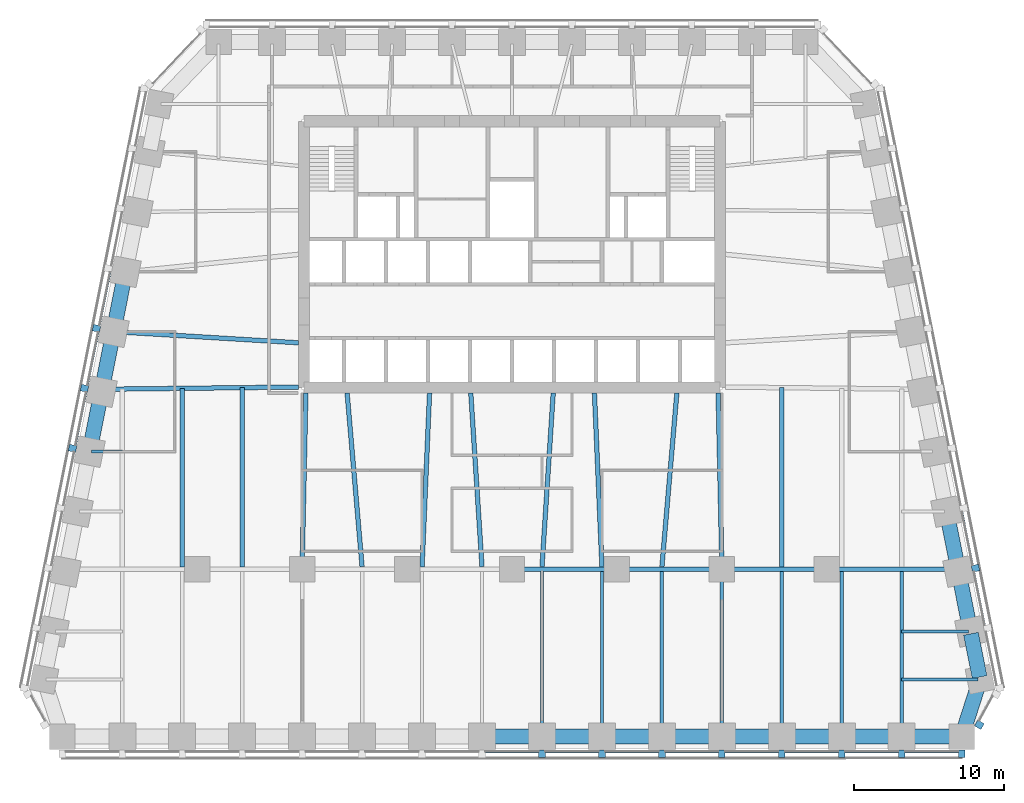
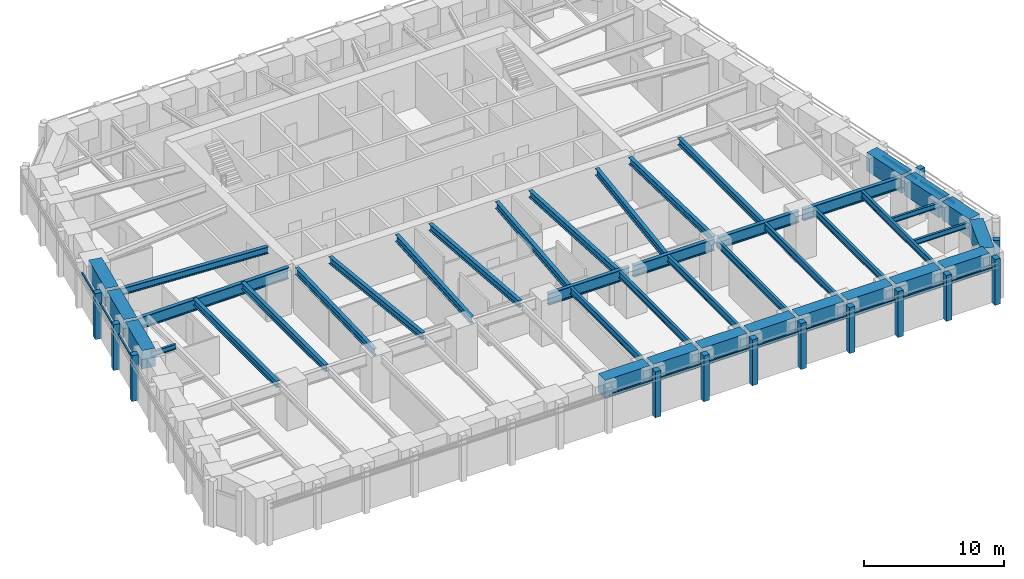
# One storey, part 2 of 10: 42 beams, 26 members, 4 elements without a shape of their own.
"""IFC4 building model written with IfcOpenShell, lengths in metres."""

import ifcopenshell
import ifcopenshell.guid

model = None  # the IFC model being written
_history = None  # IfcOwnerHistory: only IFC2X3 demands one
_inside = {}  # id of a spatial element -> (the spatial element, [elements in it])
_under = {}  # id of a project, library or spatial element -> (it, [spatial elements below it])
_declared = {}  # id of a project -> (the project, [libraries it declares])
_typed = {}  # id of a type object -> (the type object, [elements of that type])
_made_of = {}  # id of a material, layer set ... -> (it, [elements and type objects made of it])


def new_model(schema):
    """Start an empty IFC model of exactly this schema.

    Asked for "IFC4X3", IfcOpenShell would pick the latest addendum, in which some entities
    have other attributes; the version numbers below select the first issue.
    IFC2X3 requires an IfcOwnerHistory on every rooted entity: one is made here for all.
    """
    global model, _history
    if schema == "IFC4X3":
        model = ifcopenshell.file(schema_version=(4, 3, 0, 0))
    else:
        model = ifcopenshell.file(schema=schema)
    _inside.clear()
    _under.clear()
    _declared.clear()
    _typed.clear()
    _made_of.clear()
    _history = None
    if model.schema == "IFC2X3":
        org = make("IfcOrganization", Name="unknown")
        user = make(
            "IfcPersonAndOrganization",
            ThePerson=make("IfcPerson", FamilyName="unknown"),
            TheOrganization=org,
        )
        app = make(
            "IfcApplication",
            ApplicationDeveloper=org,
            Version="unknown",
            ApplicationFullName="unknown",
            ApplicationIdentifier="unknown",
        )
        _history = make(
            "IfcOwnerHistory",
            OwningUser=user,
            OwningApplication=app,
            ChangeAction="ADDED",
            CreationDate=0,
        )
    return model


def make(cls, **values):
    """One entity of the class cls with the attributes given. An attribute that is None is left unset."""
    return model.create_entity(
        cls, **{name: value for name, value in values.items() if value is not None}
    )


def rooted(cls, **values):
    """An entity with a GlobalId (a new one), such as an element, a storey or a relation."""
    return make(cls, GlobalId=ifcopenshell.guid.new(), OwnerHistory=_history, **values)


def si_unit(unit_type, name, prefix=None):
    """IfcSIUnit, for example si_unit("LENGTHUNIT", "METRE", prefix="MILLI")."""
    return make("IfcSIUnit", UnitType=unit_type, Prefix=prefix, Name=name)


def assignment(units):
    """IfcUnitAssignment: the units of a project."""
    return None if units is None else make("IfcUnitAssignment", Units=units)


def point(xyz):
    """IfcCartesianPoint."""
    return None if xyz is None else make("IfcCartesianPoint", Coordinates=xyz)


def direction(xyz):
    """IfcDirection."""
    return None if xyz is None else make("IfcDirection", DirectionRatios=xyz)


def frame(location, z_axis=None, x_axis=None):
    """IfcAxis2Placement3D, a coordinate frame: its origin and axes. An axis left out is left unset."""
    return make(
        "IfcAxis2Placement3D",
        Location=point(location),
        Axis=direction(z_axis),
        RefDirection=direction(x_axis),
    )


def frame_2d(location, x_axis=None):
    """IfcAxis2Placement2D, a coordinate frame in the plane: its origin and x axis."""
    return make(
        "IfcAxis2Placement2D", Location=point(location), RefDirection=direction(x_axis)
    )


def origin():
    """The frame at (0, 0, 0) with its axes left unset."""
    return frame((0.0, 0.0, 0.0))


def origin_2d():
    """The frame at (0, 0) in the plane with its x axis left unset."""
    return frame_2d((0.0, 0.0))


def place(relative_to, where):
    """IfcLocalPlacement: puts the frame where relative to a parent placement (None: the world)."""
    return make(
        "IfcLocalPlacement", PlacementRelTo=relative_to, RelativePlacement=where
    )


def context(
    kind, dimensions, precision=None, world=None, true_north=None, identifier=None
):
    """IfcGeometricRepresentationContext, for example the 3D "Model" context."""
    return make(
        "IfcGeometricRepresentationContext",
        ContextIdentifier=identifier,
        ContextType=kind,
        CoordinateSpaceDimension=dimensions,
        Precision=precision,
        WorldCoordinateSystem=world,
        TrueNorth=true_north,
    )


def subcontext(parent, identifier, kind, view, scale=None):
    """IfcGeometricRepresentationSubContext, for example "Body" below "Model"."""
    return make(
        "IfcGeometricRepresentationSubContext",
        ContextIdentifier=identifier,
        ContextType=kind,
        ParentContext=parent,
        TargetScale=scale,
        TargetView=view,
    )


def project(units=None, contexts=None):
    """IfcProject with its units and contexts."""
    return rooted(
        "IfcProject",
        Name="project",
        RepresentationContexts=contexts,
        UnitsInContext=assignment(units),
    )


def spatial(cls, under=None, at=None, **own):
    """A site, building, storey or space (cls), placed at a placement, below another one or the project."""
    s = rooted(cls, ObjectPlacement=at, **own)
    if under is not None:
        _under.setdefault(under.id(), (under, []))[1].append(s)
    return s


def profile(cls, at=None, kind="AREA", **sizes):
    """A parametric profile (cls). Its sizes go by their IFC names, for example OverallWidth=200.0."""
    return make(cls, ProfileType=kind, Position=at, **sizes)


def rectangle(**sizes):
    """IfcRectangleProfileDef."""
    return profile("IfcRectangleProfileDef", **sizes)


def i_section(**sizes):
    """IfcIShapeProfileDef."""
    return profile("IfcIShapeProfileDef", **sizes)


def extrude(swept, where, along, depth):
    """IfcExtrudedAreaSolid: the profile swept, set in the frame where, extruded along a direction by depth."""
    return make(
        "IfcExtrudedAreaSolid",
        SweptArea=swept,
        Position=where,
        ExtrudedDirection=direction(along),
        Depth=depth,
    )


def shape(context_of_items, identifier, shape_type, items):
    """IfcShapeRepresentation: the items that make up one representation, for example the "Body"."""
    return make(
        "IfcShapeRepresentation",
        ContextOfItems=context_of_items,
        RepresentationIdentifier=identifier,
        RepresentationType=shape_type,
        Items=items,
    )


def material(Name=None, Category=None):
    """IfcMaterial."""
    return make("IfcMaterial", Name=Name, Category=Category)


def material_profile(
    of_material, cross_section, Name=None, Category=None, Priority=None
):
    """IfcMaterialProfile: a cross section and its material."""
    return make(
        "IfcMaterialProfile",
        Name=Name,
        Material=of_material,
        Profile=cross_section,
        Priority=Priority,
        Category=Category,
    )


def profile_set(profiles, Name=None, composite=None):
    """IfcMaterialProfileSet."""
    return make(
        "IfcMaterialProfileSet",
        Name=Name,
        MaterialProfiles=profiles,
        CompositeProfile=composite,
    )


def made_of(thing, what):
    """Note that an element or type object is made of a material, layer set ...; save() writes the relation."""
    if what is not None:
        _made_of.setdefault(what.id(), (what, []))[1].append(thing)
    return thing


def type_object(cls, material=None, **own):
    """A type object (cls), such as IfcWallType, which elements share."""
    return made_of(rooted(cls, **own), material)


def element(
    cls,
    number,
    at=None,
    inside=None,
    cuts=None,
    type_object=None,
    material=None,
    context=None,
    identifier="Body",
    shape_type=None,
    held_by="IfcProductDefinitionShape",
    body=None,
    shapes=None,
    **own,
):
    """One element of the class cls, such as IfcWall. Its Tag is "e" and its number.

    at: its placement. inside: the storey or other place that contains it. cuts: it is an
    opening in that element (IfcRelVoidsElement). A single representation is given by context,
    identifier, shape_type and body (its items); several are given by shapes. held_by: the class
    of the entity that holds the representations. save() writes the other relations.
    """
    e = rooted(cls, Tag="e%d" % number, ObjectPlacement=at, **own)
    if body is not None:
        shapes = [shape(context, identifier, shape_type, body)]
    if shapes is not None:
        e.Representation = make(held_by, Representations=shapes)
    if inside is not None:
        _inside.setdefault(inside.id(), (inside, []))[1].append(e)
    if cuts is not None:
        rooted(
            "IfcRelVoidsElement", RelatingBuildingElement=cuts, RelatedOpeningElement=e
        )
    if type_object is not None:
        _typed.setdefault(type_object.id(), (type_object, []))[1].append(e)
    return made_of(e, material)


def aggregate(whole, parts):
    """IfcRelAggregates: a whole, such as a stair, and the parts it consists of."""
    return rooted("IfcRelAggregates", RelatingObject=whole, RelatedObjects=parts)


def save(model, path):
    """Write the relations noted so far, then the file.

    IfcRelAggregates (storeys below a building ...), IfcRelContainedInSpatialStructure (elements
    in a storey), IfcRelDefinesByType, IfcRelAssociatesMaterial and IfcRelDeclares: one each for
    every whole, place, type object, material and project.
    """
    for whole, parts in _under.values():
        aggregate(whole, parts)
    for where, things in _inside.values():
        rooted(
            "IfcRelContainedInSpatialStructure",
            RelatedElements=things,
            RelatingStructure=where,
        )
    for kind, things in _typed.values():
        rooted("IfcRelDefinesByType", RelatedObjects=things, RelatingType=kind)
    for what, things in _made_of.values():
        rooted("IfcRelAssociatesMaterial", RelatedObjects=things, RelatingMaterial=what)
    for by, libraries in _declared.values():
        rooted("IfcRelDeclares", RelatingContext=by, RelatedDefinitions=libraries)
    model.write(path)


model = new_model("IFC4")

# Units and contexts
model_context = context("Model", 3, precision=1e-05, world=origin(), true_north=direction((0.0, 1.0)))
body_context = subcontext(model_context, "Body", "Model", "MODEL_VIEW")
ifc_project = project(units=[si_unit("LENGTHUNIT", "METRE"), si_unit("AREAUNIT", "SQUARE_METRE"), si_unit("VOLUMEUNIT", "CUBIC_METRE"), si_unit("PLANEANGLEUNIT", "RADIAN"), si_unit("MASSUNIT", "GRAM", prefix="KILO")], contexts=[model_context])

# Site, building, storey
site_placement = place(None, origin())
site = spatial("IfcSite", under=ifc_project, at=site_placement, CompositionType="ELEMENT")
building_placement = place(site_placement, origin())
building = spatial("IfcBuilding", under=site, at=building_placement, Name="Isbrekke Arena Tower", CompositionType="ELEMENT")
storey_placement = place(building_placement, frame((0.0, 0.0, 147.0)))
storey = spatial("IfcBuildingStorey", under=building, at=storey_placement, Name="L33", CompositionType="ELEMENT", Elevation=147.0)

# Beams
ifc_material_1 = material(Name="Steel S355", Category="steel")
ifc_material_profile_1 = material_profile(ifc_material_1, i_section(OverallWidth=0.219970703125, OverallDepth=0.60009765625, WebThickness=0.011962890625, FlangeThickness=0.01904296875, FilletRadius=0.02392578125, at=origin_2d()), Name="IPE 600")
ifc_profile_set_1 = profile_set([ifc_material_profile_1], Name="Steel S355")
beam_type_1 = type_object("IfcBeamType", Name="B1 IPE 600", PredefinedType="BEAM", material=ifc_profile_set_1)
for number, where, z_axis, x_axis, name in (
    (1, (2.0, -17.02490234375, 3.550048828125), (0.0, 1.0, 0.0), (-1.0, 0.0, 0.0), "B1 beam S-S09 L33"),
    (2, (6.0, -17.02490234375, 3.550048828125), (0.0, 1.0, 0.0), (-1.0, 0.0, 0.0), "B1 beam S-S10 L33"),
    (3, (10.0, -17.02490234375, 3.550048828125), (0.0, 1.0, 0.0), (-1.0, 0.0, 0.0), "B1 beam S-S11 L33"),
):
    element("IfcBeam", number, at=place(storey_placement, frame(where, z_axis=z_axis, x_axis=x_axis)), inside=storey, type_object=beam_type_1, Name=name, PredefinedType="BEAM", context=body_context, shape_type="SweptSolid", body=[
        extrude(i_section(OverallWidth=0.219970703125, OverallDepth=0.60009765625, WebThickness=0.011962890625, FlangeThickness=0.01904296875, FilletRadius=0.02392578125, at=origin_2d()), origin(), (0.0, 0.0, 1.0), 10.8740234375),
    ])
beam_1_placement = place(storey_placement, frame((14.0, -17.02490234375, 3.550048828125), z_axis=(0.0, 1.0, 0.0), x_axis=(-1.0, 0.0, 0.0)))
element("IfcBeam", 4, at=beam_1_placement, inside=storey, type_object=beam_type_1, Name="B1 beam S-S12 L33", PredefinedType="BEAM", context=body_context, shape_type="SweptSolid", body=[
    extrude(i_section(OverallWidth=0.219970703125, OverallDepth=0.60009765625, WebThickness=0.011962890625, FlangeThickness=0.01904296875, FilletRadius=0.02392578125, at=origin_2d()), origin(), (0.0, 0.0, 1.0), 10.875),
])
for number, where, z_axis, x_axis, name in (
    (5, (18.0, -17.02490234375, 3.550048828125), (0.0, 1.0, 0.0), (-1.0, 0.0, 0.0), "B1 beam S-S13 L33"),
    (6, (22.0, -17.02490234375, 3.550048828125), (0.0, 1.0, 0.0), (-1.0, 0.0, 0.0), "B1 beam S-S14 L33"),
    (7, (26.0, -17.02490234375, 3.550048828125), (0.0, 1.0, 0.0), (-1.0, 0.0, 0.0), "B1 beam S-S15 L33"),
):
    element("IfcBeam", number, at=place(storey_placement, frame(where, z_axis=z_axis, x_axis=x_axis)), inside=storey, type_object=beam_type_1, Name=name, PredefinedType="BEAM", context=body_context, shape_type="SweptSolid", body=[
        extrude(i_section(OverallWidth=0.219970703125, OverallDepth=0.60009765625, WebThickness=0.011962890625, FlangeThickness=0.01904296875, FilletRadius=0.02392578125, at=origin_2d()), origin(), (0.0, 0.0, 1.0), 10.8740234375),
    ])
ifc_material_2 = material(Name="Steel S355", Category="steel")
ifc_material_profile_2 = material_profile(ifc_material_2, i_section(OverallWidth=0.18994140625, OverallDepth=0.449951171875, WebThickness=0.009521484375, FlangeThickness=0.0146484375, FilletRadius=0.02099609375, at=origin_2d()), Name="IPE 450")
ifc_profile_set_2 = profile_set([ifc_material_profile_2], Name="Steel S355")
beam_type_2 = type_object("IfcBeamType", Name="B2 IPE 450", PredefinedType="BEAM", material=ifc_profile_set_2)
beam_2_placement = place(storey_placement, frame((31.079345703125, -13.352783203125, 3.625), z_axis=(-1.0, 0.0, 0.0), x_axis=(0.0, -1.0, 0.0)))
element("IfcBeam", 8, at=beam_2_placement, inside=storey, type_object=beam_type_2, Name="B2 beam E-E01 L33", PredefinedType="BEAM", context=body_context, shape_type="SweptSolid", body=[
    extrude(i_section(OverallWidth=0.18994140625, OverallDepth=0.449951171875, WebThickness=0.009521484375, FlangeThickness=0.0146484375, FilletRadius=0.02099609375, at=origin_2d()), origin(), (0.0, 0.0, 1.0), 5.079345703125),
])
beam_3_placement = place(storey_placement, frame((30.44091796875, -10.161865234375, 3.625), z_axis=(-1.0, 0.0, 0.0), x_axis=(0.0, -1.0, 0.0)))
element("IfcBeam", 9, at=beam_3_placement, inside=storey, type_object=beam_type_2, Name="B2 beam E-E02 L33", PredefinedType="BEAM", context=body_context, shape_type="SweptSolid", body=[
    extrude(i_section(OverallWidth=0.18994140625, OverallDepth=0.449951171875, WebThickness=0.009521484375, FlangeThickness=0.0146484375, FilletRadius=0.02099609375, at=origin_2d()), origin(), (0.0, 0.0, 1.0), 4.44091796875),
])
beam_4_placement = place(storey_placement, frame((-28.041015625, 1.838134765625, 3.625), z_axis=(1.0, 0.0, 0.0), x_axis=(0.0, 1.0, 0.0)))
element("IfcBeam", 10, at=beam_4_placement, inside=storey, type_object=beam_type_2, Name="B2 beam E-W07 L33", PredefinedType="BEAM", context=body_context, shape_type="SweptSolid", body=[
    extrude(i_section(OverallWidth=0.18994140625, OverallDepth=0.449951171875, WebThickness=0.009521484375, FlangeThickness=0.0146484375, FilletRadius=0.02099609375, at=origin_2d()), origin(), (0.0, 0.0, 1.0), 2.041015625),
])
ifc_material_3 = material(Name="Steel S355", Category="steel")
ifc_material_profile_3 = material_profile(ifc_material_3, i_section(OverallWidth=0.300048828125, OverallDepth=0.60009765625, WebThickness=0.015380859375, FlangeThickness=0.030029296875, FilletRadius=0.027099609375, at=origin_2d()), Name="HEB 600")
ifc_profile_set_3 = profile_set([ifc_material_profile_3], Name="Steel S355")
beam_type_3 = type_object("IfcBeamType", Name="B7 HEB 600", PredefinedType="BEAM", material=ifc_profile_set_3)
beam_5_placement = place(storey_placement, frame((-22.0, -5.84912109375, 3.550048828125), z_axis=(0.0, 1.0, 0.0), x_axis=(-1.0, 0.0, 0.0)))
element("IfcBeam", 11, at=beam_5_placement, inside=storey, type_object=beam_type_3, Name="B7 beam C-M02 L33", PredefinedType="BEAM", context=body_context, shape_type="SweptSolid", body=[
    extrude(i_section(OverallWidth=0.300048828125, OverallDepth=0.60009765625, WebThickness=0.015380859375, FlangeThickness=0.030029296875, FilletRadius=0.027099609375, at=origin_2d()), origin(), (0.0, 0.0, 1.0), 11.91064453125),
])
beam_6_placement = place(storey_placement, frame((-18.0, -5.84912109375, 3.550048828125), z_axis=(0.0, 1.0, 0.0), x_axis=(-1.0, 0.0, 0.0)))
element("IfcBeam", 12, at=beam_6_placement, inside=storey, type_object=beam_type_3, Name="B7 beam C-M03 L33", PredefinedType="BEAM", context=body_context, shape_type="SweptSolid", body=[
    extrude(i_section(OverallWidth=0.300048828125, OverallDepth=0.60009765625, WebThickness=0.015380859375, FlangeThickness=0.030029296875, FilletRadius=0.027099609375, at=origin_2d()), origin(), (0.0, 0.0, 1.0), 11.956298828125),
])
beam_7_placement = place(storey_placement, frame((-14.0, -5.8466796875, 3.550048828125), z_axis=(0.021552887044, 0.999767709551, 0.0), x_axis=(-0.999767709551, 0.021552887044, 0.0)))
element("IfcBeam", 13, at=beam_7_placement, inside=storey, type_object=beam_type_3, Name="B7 beam C-M04 L33", PredefinedType="BEAM", context=body_context, shape_type="SweptSolid", body=[
    extrude(i_section(OverallWidth=0.300048828125, OverallDepth=0.60009765625, WebThickness=0.015380859375, FlangeThickness=0.030029296875, FilletRadius=0.027099609375, at=origin_2d()), origin(), (0.0, 0.0, 1.0), 11.599365234375),
])
beam_8_placement = place(storey_placement, frame((-10.001220703125, -5.836181640625, 3.550048828125), z_axis=(-0.085885827104, 0.996304985786, 0.0), x_axis=(-0.996304985786, -0.085885827104, 0.0)))
element("IfcBeam", 14, at=beam_8_placement, inside=storey, type_object=beam_type_3, Name="B7 beam C-M05 L33", PredefinedType="BEAM", context=body_context, shape_type="SweptSolid", body=[
    extrude(i_section(OverallWidth=0.300048828125, OverallDepth=0.60009765625, WebThickness=0.015380859375, FlangeThickness=0.030029296875, FilletRadius=0.027099609375, at=origin_2d()), origin(), (0.0, 0.0, 1.0), 11.629150390625),
])
beam_9_placement = place(storey_placement, frame((-5.999755859375, -5.842529296875, 3.550048828125), z_axis=(0.043070161667, 0.999072050041, 0.0), x_axis=(-0.999072050041, 0.043070161667, 0.0)))
element("IfcBeam", 15, at=beam_9_placement, inside=storey, type_object=beam_type_3, Name="B7 beam C-M06 L33", PredefinedType="BEAM", context=body_context, shape_type="SweptSolid", body=[
    extrude(i_section(OverallWidth=0.300048828125, OverallDepth=0.60009765625, WebThickness=0.015380859375, FlangeThickness=0.030029296875, FilletRadius=0.027099609375, at=origin_2d()), origin(), (0.0, 0.0, 1.0), 11.603271484375),
])
for number, where, z_axis, x_axis, name in (
    (16, (-2.000732421875, -5.83935546875, 3.550048828125), (-0.064516666031, 0.997916629686, 0.0), (-0.997916629686, -0.064516666031, 0.0), "B7 beam C-M07 L33"),
    (17, (2.000732421875, -5.83935546875, 3.550048828125), (0.064516666031, 0.997916629686, 0.0), (-0.997916629686, 0.064516666031, 0.0), "B7 beam C-M08 L33"),
):
    element("IfcBeam", number, at=place(storey_placement, frame(where, z_axis=z_axis, x_axis=x_axis)), inside=storey, type_object=beam_type_3, Name=name, PredefinedType="BEAM", context=body_context, shape_type="SweptSolid", body=[
        extrude(i_section(OverallWidth=0.300048828125, OverallDepth=0.60009765625, WebThickness=0.015380859375, FlangeThickness=0.030029296875, FilletRadius=0.027099609375, at=origin_2d()), origin(), (0.0, 0.0, 1.0), 11.613525390625),
    ])
beam_10_placement = place(storey_placement, frame((5.999755859375, -5.842529296875, 3.550048828125), z_axis=(-0.043070161667, 0.999072050041, 0.0), x_axis=(-0.999072050041, -0.043070161667, 0.0)))
element("IfcBeam", 18, at=beam_10_placement, inside=storey, type_object=beam_type_3, Name="B7 beam C-M09 L33", PredefinedType="BEAM", context=body_context, shape_type="SweptSolid", body=[
    extrude(i_section(OverallWidth=0.300048828125, OverallDepth=0.60009765625, WebThickness=0.015380859375, FlangeThickness=0.030029296875, FilletRadius=0.027099609375, at=origin_2d()), origin(), (0.0, 0.0, 1.0), 11.603271484375),
])
beam_11_placement = place(storey_placement, frame((10.001220703125, -5.836181640625, 3.550048828125), z_axis=(0.085885827104, 0.996304985786, 0.0), x_axis=(-0.996304985786, 0.085885827104, 0.0)))
element("IfcBeam", 19, at=beam_11_placement, inside=storey, type_object=beam_type_3, Name="B7 beam C-M10 L33", PredefinedType="BEAM", context=body_context, shape_type="SweptSolid", body=[
    extrude(i_section(OverallWidth=0.300048828125, OverallDepth=0.60009765625, WebThickness=0.015380859375, FlangeThickness=0.030029296875, FilletRadius=0.027099609375, at=origin_2d()), origin(), (0.0, 0.0, 1.0), 11.629150390625),
])
beam_12_placement = place(storey_placement, frame((14.0, -5.8466796875, 3.550048828125), z_axis=(-0.021552887044, 0.999767709551, 0.0), x_axis=(-0.999767709551, -0.021552887044, 0.0)))
element("IfcBeam", 20, at=beam_12_placement, inside=storey, type_object=beam_type_3, Name="B7 beam C-M11 L33", PredefinedType="BEAM", context=body_context, shape_type="SweptSolid", body=[
    extrude(i_section(OverallWidth=0.300048828125, OverallDepth=0.60009765625, WebThickness=0.015380859375, FlangeThickness=0.030029296875, FilletRadius=0.027099609375, at=origin_2d()), origin(), (0.0, 0.0, 1.0), 11.599365234375),
])
beam_13_placement = place(storey_placement, frame((18.0, -5.84912109375, 3.550048828125), z_axis=(0.0, 1.0, 0.0), x_axis=(-1.0, 0.0, 0.0)))
element("IfcBeam", 21, at=beam_13_placement, inside=storey, type_object=beam_type_3, Name="B7 beam C-M12 L33", PredefinedType="BEAM", context=body_context, shape_type="SweptSolid", body=[
    extrude(i_section(OverallWidth=0.300048828125, OverallDepth=0.60009765625, WebThickness=0.015380859375, FlangeThickness=0.030029296875, FilletRadius=0.027099609375, at=origin_2d()), origin(), (0.0, 0.0, 1.0), 11.956298828125),
])
beam_14_placement = place(storey_placement, frame((-26.431884765625, 9.837646484375, 3.550048828125), z_axis=(0.998172191876, -0.060434057993, 0.0), x_axis=(0.060434057993, 0.998172191876, 0.0)))
element("IfcBeam", 22, at=beam_14_placement, inside=storey, type_object=beam_type_3, Name="B7 beam E-W05 L33", PredefinedType="BEAM", context=body_context, shape_type="SweptSolid", body=[
    extrude(i_section(OverallWidth=0.300048828125, OverallDepth=0.60009765625, WebThickness=0.015380859375, FlangeThickness=0.030029296875, FilletRadius=0.027099609375, at=origin_2d()), origin(), (0.0, 0.0, 1.0), 12.2041015625),
])

# Curtain wall, members
ifc_material_4 = material(Name="Glazed aluminium curtain wall", Category="aluminium")
curtain_wall_type = type_object("IfcCurtainWallType", Name="CWM TOWER CURTAIN WALL MID ZONE", PredefinedType="USERDEFINED", material=ifc_material_4)
curtain_wall_1_placement = place(storey_placement, origin())
curtain_wall_1 = element("IfcCurtainWall", 23, at=curtain_wall_1_placement, inside=storey, type_object=curtain_wall_type, Name="CWM curtain wall L33-S", ObjectType="TOWER CURTAIN WALL MID ZONE", PredefinedType="USERDEFINED")
ifc_material_5 = material(Name="Aluminium mullion, pale brick slip cladding", Category="masonry")
ifc_material_profile_4 = material_profile(ifc_material_5, rectangle(XDim=0.449951171875, YDim=0.5, at=origin_2d()), Name="PIER 450X500")
ifc_profile_set_4 = profile_set([ifc_material_profile_4], Name="Aluminium mullion, pale brick slip cladding")
member_type_1 = type_object("IfcMemberType", Name="CWM-M PIER MULLION 450 x 500", PredefinedType="MULLION", material=ifc_profile_set_4)
member_1_placement = place(storey_placement, frame((2.0, -18.324951171875, 0.0), z_axis=(0.0, 0.0, 1.0), x_axis=(1.0, 0.0, 0.0)))
member_1 = element("IfcMember", 24, at=member_1_placement, type_object=member_type_1, Name="CWM-M mullion 9", PredefinedType="MULLION", context=body_context, shape_type="SweptSolid", body=[
    extrude(rectangle(XDim=0.449951171875, YDim=0.5, at=origin_2d()), origin(), (0.0, 0.0, 1.0), 4.0),
])
member_2_placement = place(storey_placement, frame((6.0, -18.324951171875, 0.0), z_axis=(0.0, 0.0, 1.0), x_axis=(1.0, 0.0, 0.0)))
member_2 = element("IfcMember", 25, at=member_2_placement, type_object=member_type_1, Name="CWM-M mullion 10", PredefinedType="MULLION", context=body_context, shape_type="SweptSolid", body=[
    extrude(rectangle(XDim=0.449951171875, YDim=0.5, at=origin_2d()), origin(), (0.0, 0.0, 1.0), 4.0),
])
member_3_placement = place(storey_placement, frame((10.0, -18.324951171875, 0.0), z_axis=(0.0, 0.0, 1.0), x_axis=(1.0, 0.0, 0.0)))
member_3 = element("IfcMember", 26, at=member_3_placement, type_object=member_type_1, Name="CWM-M mullion 11", PredefinedType="MULLION", context=body_context, shape_type="SweptSolid", body=[
    extrude(rectangle(XDim=0.449951171875, YDim=0.5, at=origin_2d()), origin(), (0.0, 0.0, 1.0), 4.0),
])
member_4_placement = place(storey_placement, frame((14.0, -18.324951171875, 0.0), z_axis=(0.0, 0.0, 1.0), x_axis=(1.0, 0.0, 0.0)))
member_4 = element("IfcMember", 27, at=member_4_placement, type_object=member_type_1, Name="CWM-M mullion 12", PredefinedType="MULLION", context=body_context, shape_type="SweptSolid", body=[
    extrude(rectangle(XDim=0.449951171875, YDim=0.5, at=origin_2d()), origin(), (0.0, 0.0, 1.0), 4.0),
])
member_5_placement = place(storey_placement, frame((18.0, -18.324951171875, 0.0), z_axis=(0.0, 0.0, 1.0), x_axis=(1.0, 0.0, 0.0)))
member_5 = element("IfcMember", 28, at=member_5_placement, type_object=member_type_1, Name="CWM-M mullion 13", PredefinedType="MULLION", context=body_context, shape_type="SweptSolid", body=[
    extrude(rectangle(XDim=0.449951171875, YDim=0.5, at=origin_2d()), origin(), (0.0, 0.0, 1.0), 4.0),
])
member_6_placement = place(storey_placement, frame((22.0, -18.324951171875, 0.0), z_axis=(0.0, 0.0, 1.0), x_axis=(1.0, 0.0, 0.0)))
member_6 = element("IfcMember", 29, at=member_6_placement, type_object=member_type_1, Name="CWM-M mullion 14", PredefinedType="MULLION", context=body_context, shape_type="SweptSolid", body=[
    extrude(rectangle(XDim=0.449951171875, YDim=0.5, at=origin_2d()), origin(), (0.0, 0.0, 1.0), 4.0),
])
member_7_placement = place(storey_placement, frame((26.0, -18.324951171875, 0.0), z_axis=(0.0, 0.0, 1.0), x_axis=(1.0, 0.0, 0.0)))
member_7 = element("IfcMember", 30, at=member_7_placement, type_object=member_type_1, Name="CWM-M mullion 15", PredefinedType="MULLION", context=body_context, shape_type="SweptSolid", body=[
    extrude(rectangle(XDim=0.449951171875, YDim=0.5, at=origin_2d()), origin(), (0.0, 0.0, 1.0), 4.0),
])
member_8_placement = place(storey_placement, frame((30.0, -18.324951171875, 0.0), z_axis=(0.0, 0.0, 1.0), x_axis=(1.0, 0.0, 0.0)))
member_8 = element("IfcMember", 31, at=member_8_placement, type_object=member_type_1, Name="CWM-M mullion 16", PredefinedType="MULLION", context=body_context, shape_type="SweptSolid", body=[
    extrude(rectangle(XDim=0.449951171875, YDim=0.5, at=origin_2d()), origin(), (0.0, 0.0, 1.0), 4.0),
])

# Curtain wall, member
curtain_wall_2_placement = place(storey_placement, origin())
curtain_wall_2 = element("IfcCurtainWall", 32, at=curtain_wall_2_placement, inside=storey, type_object=curtain_wall_type, Name="CWM curtain wall L33-SE", ObjectType="TOWER CURTAIN WALL MID ZONE", PredefinedType="USERDEFINED")
member_9_placement = place(storey_placement, frame((31.17529296875, -16.382080078125, 0.0), z_axis=(0.0, 0.0, 1.0), x_axis=(0.481918749773, 0.876215908676, 0.0)))
member_9 = element("IfcMember", 33, at=member_9_placement, type_object=member_type_1, Name="CWM-M mullion 1", PredefinedType="MULLION", context=body_context, shape_type="SweptSolid", body=[
    extrude(rectangle(XDim=0.449951171875, YDim=0.5, at=origin_2d()), origin(), (0.0, 0.0, 1.0), 4.0),
])
aggregate(curtain_wall_2, [member_9])

curtain_wall_3_placement = place(storey_placement, origin())
curtain_wall_3 = element("IfcCurtainWall", 34, at=curtain_wall_3_placement, inside=storey, type_object=curtain_wall_type, Name="CWM curtain wall L33-E", ObjectType="TOWER CURTAIN WALL MID ZONE", PredefinedType="USERDEFINED")
member_10_placement = place(storey_placement, frame((30.918701171875, -5.936279296875, 0.0), z_axis=(0.0, 0.0, 1.0), x_axis=(-0.196116135138, 0.980580675691, 0.0)))
member_10 = element("IfcMember", 35, at=member_10_placement, type_object=member_type_1, Name="CWM-M mullion 3", PredefinedType="MULLION", context=body_context, shape_type="SweptSolid", body=[
    extrude(rectangle(XDim=0.449951171875, YDim=0.5, at=origin_2d()), origin(), (0.0, 0.0, 1.0), 4.0),
])

# Curtain wall, members
curtain_wall_4_placement = place(storey_placement, origin())
curtain_wall_4 = element("IfcCurtainWall", 36, at=curtain_wall_4_placement, inside=storey, type_object=curtain_wall_type, Name="CWM curtain wall L33-W", ObjectType="TOWER CURTAIN WALL MID ZONE", PredefinedType="USERDEFINED")
member_11_placement = place(storey_placement, frame((-27.71875, 10.063720703125, 0.0), z_axis=(0.0, 0.0, 1.0), x_axis=(-0.196116135138, -0.980580675691, 0.0)))
member_11 = element("IfcMember", 37, at=member_11_placement, type_object=member_type_1, Name="CWM-M mullion 5", PredefinedType="MULLION", context=body_context, shape_type="SweptSolid", body=[
    extrude(rectangle(XDim=0.449951171875, YDim=0.5, at=origin_2d()), origin(), (0.0, 0.0, 1.0), 4.0),
])
member_12_placement = place(storey_placement, frame((-28.518798828125, 6.063720703125, 0.0), z_axis=(0.0, 0.0, 1.0), x_axis=(-0.196116135138, -0.980580675691, 0.0)))
member_12 = element("IfcMember", 38, at=member_12_placement, type_object=member_type_1, Name="CWM-M mullion 6", PredefinedType="MULLION", context=body_context, shape_type="SweptSolid", body=[
    extrude(rectangle(XDim=0.449951171875, YDim=0.5, at=origin_2d()), origin(), (0.0, 0.0, 1.0), 4.0),
])
member_13_placement = place(storey_placement, frame((-29.318603515625, 2.063720703125, 0.0), z_axis=(0.0, 0.0, 1.0), x_axis=(-0.196116135138, -0.980580675691, 0.0)))
member_13 = element("IfcMember", 39, at=member_13_placement, type_object=member_type_1, Name="CWM-M mullion 7", PredefinedType="MULLION", context=body_context, shape_type="SweptSolid", body=[
    extrude(rectangle(XDim=0.449951171875, YDim=0.5, at=origin_2d()), origin(), (0.0, 0.0, 1.0), 4.0),
])

# Member
ifc_material_6 = material(Name="Aluminium transom", Category="aluminium")
ifc_material_profile_5 = material_profile(ifc_material_6, rectangle(XDim=0.1201171875, YDim=0.199951171875, at=origin_2d()), Name="TRANSOM 120X200")
ifc_profile_set_5 = profile_set([ifc_material_profile_5], Name="Aluminium transom")
member_type_2 = type_object("IfcMemberType", Name="CWM-T TRANSOM 120 x 200", PredefinedType="USERDEFINED", material=ifc_profile_set_5)
member_14_placement = place(storey_placement, frame((-1.77490234375, -18.175048828125, 3.0), z_axis=(1.0, 0.0, 0.0), x_axis=(0.0, 1.0, 0.0)))
member_14 = element("IfcMember", 40, at=member_14_placement, type_object=member_type_2, Name="CWM-T transom 8", ObjectType="TRANSOM", PredefinedType="USERDEFINED", context=body_context, shape_type="SweptSolid", body=[
    extrude(rectangle(XDim=0.1201171875, YDim=0.199951171875, at=origin_2d()), origin(), (0.0, 0.0, 1.0), 3.5498046875),
])

member_15_placement = place(storey_placement, frame((2.22509765625, -18.175048828125, 3.0), z_axis=(1.0, 0.0, 0.0), x_axis=(0.0, 1.0, 0.0)))
member_15 = element("IfcMember", 41, at=member_15_placement, type_object=member_type_2, Name="CWM-T transom 9", ObjectType="TRANSOM", PredefinedType="USERDEFINED", context=body_context, shape_type="SweptSolid", body=[
    extrude(rectangle(XDim=0.1201171875, YDim=0.199951171875, at=origin_2d()), origin(), (0.0, 0.0, 1.0), 3.5498046875),
])

member_16_placement = place(storey_placement, frame((6.22509765625, -18.175048828125, 3.0), z_axis=(1.0, 0.0, 0.0), x_axis=(0.0, 1.0, 0.0)))
member_16 = element("IfcMember", 42, at=member_16_placement, type_object=member_type_2, Name="CWM-T transom 10", ObjectType="TRANSOM", PredefinedType="USERDEFINED", context=body_context, shape_type="SweptSolid", body=[
    extrude(rectangle(XDim=0.1201171875, YDim=0.199951171875, at=origin_2d()), origin(), (0.0, 0.0, 1.0), 3.5498046875),
])

member_17_placement = place(storey_placement, frame((10.22509765625, -18.175048828125, 3.0), z_axis=(1.0, 0.0, 0.0), x_axis=(0.0, 1.0, 0.0)))
member_17 = element("IfcMember", 43, at=member_17_placement, type_object=member_type_2, Name="CWM-T transom 11", ObjectType="TRANSOM", PredefinedType="USERDEFINED", context=body_context, shape_type="SweptSolid", body=[
    extrude(rectangle(XDim=0.1201171875, YDim=0.199951171875, at=origin_2d()), origin(), (0.0, 0.0, 1.0), 3.5498046875),
])

member_18_placement = place(storey_placement, frame((14.22509765625, -18.175048828125, 3.0), z_axis=(1.0, 0.0, 0.0), x_axis=(0.0, 1.0, 0.0)))
member_18 = element("IfcMember", 44, at=member_18_placement, type_object=member_type_2, Name="CWM-T transom 12", ObjectType="TRANSOM", PredefinedType="USERDEFINED", context=body_context, shape_type="SweptSolid", body=[
    extrude(rectangle(XDim=0.1201171875, YDim=0.199951171875, at=origin_2d()), origin(), (0.0, 0.0, 1.0), 3.5498046875),
])

member_19_placement = place(storey_placement, frame((18.22509765625, -18.175048828125, 3.0), z_axis=(1.0, 0.0, 0.0), x_axis=(0.0, 1.0, 0.0)))
member_19 = element("IfcMember", 45, at=member_19_placement, type_object=member_type_2, Name="CWM-T transom 13", ObjectType="TRANSOM", PredefinedType="USERDEFINED", context=body_context, shape_type="SweptSolid", body=[
    extrude(rectangle(XDim=0.1201171875, YDim=0.199951171875, at=origin_2d()), origin(), (0.0, 0.0, 1.0), 3.5498046875),
])

member_20_placement = place(storey_placement, frame((22.22509765625, -18.175048828125, 3.0), z_axis=(1.0, 0.0, 0.0), x_axis=(0.0, 1.0, 0.0)))
member_20 = element("IfcMember", 46, at=member_20_placement, type_object=member_type_2, Name="CWM-T transom 14", ObjectType="TRANSOM", PredefinedType="USERDEFINED", context=body_context, shape_type="SweptSolid", body=[
    extrude(rectangle(XDim=0.1201171875, YDim=0.199951171875, at=origin_2d()), origin(), (0.0, 0.0, 1.0), 3.5498046875),
])

member_21_placement = place(storey_placement, frame((26.22509765625, -18.175048828125, 3.0), z_axis=(1.0, 0.0, 0.0), x_axis=(0.0, 1.0, 0.0)))
member_21 = element("IfcMember", 47, at=member_21_placement, type_object=member_type_2, Name="CWM-T transom 15", ObjectType="TRANSOM", PredefinedType="USERDEFINED", context=body_context, shape_type="SweptSolid", body=[
    extrude(rectangle(XDim=0.1201171875, YDim=0.199951171875, at=origin_2d()), origin(), (0.0, 0.0, 1.0), 3.5498046875),
])

aggregate(curtain_wall_1, [member_1, member_2, member_3, member_4, member_5, member_6, member_7, member_8, member_14, member_15, member_16, member_17, member_18, member_19, member_20, member_21])

member_22_placement = place(storey_placement, frame((31.527587890625, -9.7451171875, 3.0), z_axis=(-0.196154943734, 0.980572913173, 0.0), x_axis=(-0.980572913173, -0.196154943734, 0.0)))
member_22 = element("IfcMember", 48, at=member_22_placement, type_object=member_type_2, Name="CWM-T transom 2", ObjectType="TRANSOM", PredefinedType="USERDEFINED", context=body_context, shape_type="SweptSolid", body=[
    extrude(rectangle(XDim=0.1201171875, YDim=0.199951171875, at=origin_2d()), origin(), (0.0, 0.0, 1.0), 3.62939453125),
])

member_23_placement = place(storey_placement, frame((30.7275390625, -5.7451171875, 3.0), z_axis=(-0.196154943734, 0.980572913173, 0.0), x_axis=(-0.980572913173, -0.196154943734, 0.0)))
member_23 = element("IfcMember", 49, at=member_23_placement, type_object=member_type_2, Name="CWM-T transom 3", ObjectType="TRANSOM", PredefinedType="USERDEFINED", context=body_context, shape_type="SweptSolid", body=[
    extrude(rectangle(XDim=0.1201171875, YDim=0.199951171875, at=origin_2d()), origin(), (0.0, 0.0, 1.0), 3.62939453125),
])

aggregate(curtain_wall_3, [member_10, member_22, member_23])

member_24_placement = place(storey_placement, frame((-26.815673828125, 13.813720703125, 3.0), z_axis=(-0.196154943734, -0.980572913173, 0.0), x_axis=(0.980572913173, -0.196154943734, 0.0)))
member_24 = element("IfcMember", 50, at=member_24_placement, type_object=member_type_2, Name="CWM-T transom 4", ObjectType="TRANSOM", PredefinedType="USERDEFINED", context=body_context, shape_type="SweptSolid", body=[
    extrude(rectangle(XDim=0.1201171875, YDim=0.199951171875, at=origin_2d()), origin(), (0.0, 0.0, 1.0), 3.62939453125),
])

member_25_placement = place(storey_placement, frame((-27.61572265625, 9.813720703125, 3.0), z_axis=(-0.196090262229, -0.980585849918, 0.0), x_axis=(0.980585849918, -0.196090262229, 0.0)))
member_25 = element("IfcMember", 51, at=member_25_placement, type_object=member_type_2, Name="CWM-T transom 5", ObjectType="TRANSOM", PredefinedType="USERDEFINED", context=body_context, shape_type="SweptSolid", body=[
    extrude(rectangle(XDim=0.1201171875, YDim=0.199951171875, at=origin_2d()), origin(), (0.0, 0.0, 1.0), 3.62939453125),
])

member_26_placement = place(storey_placement, frame((-28.415771484375, 5.813720703125, 3.0), z_axis=(-0.196090262229, -0.980585849918, 0.0), x_axis=(0.980585849918, -0.196090262229, 0.0)))
member_26 = element("IfcMember", 52, at=member_26_placement, type_object=member_type_2, Name="CWM-T transom 6", ObjectType="TRANSOM", PredefinedType="USERDEFINED", context=body_context, shape_type="SweptSolid", body=[
    extrude(rectangle(XDim=0.1201171875, YDim=0.199951171875, at=origin_2d()), origin(), (0.0, 0.0, 1.0), 3.62939453125),
])

aggregate(curtain_wall_4, [member_11, member_12, member_13, member_24, member_25, member_26])

# Beams
ifc_material_7 = material(Name="Steel S355", Category="steel")
ifc_material_profile_6 = material_profile(ifc_material_7, i_section(OverallWidth=0.302001953125, OverallDepth=1.008056640625, WebThickness=0.02099609375, FlangeThickness=0.0400390625, FilletRadius=0.030029296875, at=origin_2d()), Name="HEM 1000")
ifc_profile_set_6 = profile_set([ifc_material_profile_6], Name="Steel S355")
beam_type_4 = type_object("IfcBeamType", Name="G1 HEM 1000", PredefinedType="BEAM", material=ifc_profile_set_6)
for number, where, z_axis, x_axis, name in (
    (53, (0.14990234375, -6.0, 3.345947265625), (1.0, 0.0, 0.0), (0.0, 1.0, 0.0), "G1 beam G1-05 L33"),
    (54, (7.14990234375, -6.0, 3.345947265625), (1.0, 0.0, 0.0), (0.0, 1.0, 0.0), "G1 beam G1-06 L33"),
    (55, (14.14990234375, -6.0, 3.345947265625), (1.0, 0.0, 0.0), (0.0, 1.0, 0.0), "G1 beam G1-07 L33"),
):
    element("IfcBeam", number, at=place(storey_placement, frame(where, z_axis=z_axis, x_axis=x_axis)), inside=storey, type_object=beam_type_4, Name=name, PredefinedType="BEAM", context=body_context, shape_type="SweptSolid", body=[
        extrude(i_section(OverallWidth=0.302001953125, OverallDepth=1.008056640625, WebThickness=0.02099609375, FlangeThickness=0.0400390625, FilletRadius=0.030029296875, at=origin_2d()), origin(), (0.0, 0.0, 1.0), 6.7001953125),
    ])
beam_15_placement = place(storey_placement, frame((21.14990234375, -6.0, 3.345947265625), z_axis=(1.0, 0.0, 0.0), x_axis=(0.0, 1.0, 0.0)))
element("IfcBeam", 56, at=beam_15_placement, inside=storey, type_object=beam_type_4, Name="G1 beam G1-08 L33", PredefinedType="BEAM", context=body_context, shape_type="SweptSolid", body=[
    extrude(i_section(OverallWidth=0.302001953125, OverallDepth=1.008056640625, WebThickness=0.02099609375, FlangeThickness=0.0400390625, FilletRadius=0.030029296875, at=origin_2d()), origin(), (0.0, 0.0, 1.0), 8.64111328125),
])
ifc_material_8 = material(Name="Steel S355", Category="steel")
ifc_material_profile_7 = material_profile(ifc_material_8, i_section(OverallWidth=0.302001953125, OverallDepth=1.008056640625, WebThickness=0.02099609375, FlangeThickness=0.0400390625, FilletRadius=0.030029296875, at=origin_2d()), Name="HEM 1000")
ifc_profile_set_7 = profile_set([ifc_material_profile_7], Name="Steel S355")
beam_type_5 = type_object("IfcBeamType", Name="G2 HEM 1000", PredefinedType="BEAM", material=ifc_profile_set_7)
beam_16_placement = place(storey_placement, frame((-14.25, 6.14990234375, 3.345947265625), z_axis=(-0.999934928157, -0.011407867963, 0.0), x_axis=(0.011407867963, -0.999934928157, 0.0)))
element("IfcBeam", 57, at=beam_16_placement, inside=storey, type_object=beam_type_5, Name="G2 beam G2-W L33", PredefinedType="BEAM", context=body_context, shape_type="SweptSolid", body=[
    extrude(i_section(OverallWidth=0.302001953125, OverallDepth=1.008056640625, WebThickness=0.02099609375, FlangeThickness=0.0400390625, FilletRadius=0.030029296875, at=origin_2d()), origin(), (0.0, 0.0, 1.0), 13.140380859375),
])
ifc_material_9 = material(Name="Concrete B80 (C80/95)", Category="concrete")
ifc_material_profile_8 = material_profile(ifc_material_9, rectangle(XDim=1.0, YDim=1.60009765625, at=origin_2d()), Name="RC 1000x1600")
ifc_profile_set_8 = profile_set([ifc_material_profile_8], Name="Concrete B80 (C80/95)")
beam_type_6 = type_object("IfcBeamType", Name="SB2 RC 1000 x 1600", PredefinedType="SPANDREL", material=ifc_profile_set_8)
for number, where, z_axis, x_axis, name in (
    (58, (-1.85009765625, -17.175048828125, 3.199951171875), (1.0, 0.0, 0.0), (0.0, 1.0, 0.0), "SB2 spandrel S08-S09 L33"),
    (59, (2.14990234375, -17.175048828125, 3.199951171875), (1.0, 0.0, 0.0), (0.0, 1.0, 0.0), "SB2 spandrel S09-S10 L33"),
    (60, (6.14990234375, -17.175048828125, 3.199951171875), (1.0, 0.0, 0.0), (0.0, 1.0, 0.0), "SB2 spandrel S10-S11 L33"),
    (61, (10.14990234375, -17.175048828125, 3.199951171875), (1.0, 0.0, 0.0), (0.0, 1.0, 0.0), "SB2 spandrel S11-S12 L33"),
    (62, (14.14990234375, -17.175048828125, 3.199951171875), (1.0, 0.0, 0.0), (0.0, 1.0, 0.0), "SB2 spandrel S12-S13 L33"),
    (63, (18.14990234375, -17.175048828125, 3.199951171875), (1.0, 0.0, 0.0), (0.0, 1.0, 0.0), "SB2 spandrel S13-S14 L33"),
    (64, (22.14990234375, -17.175048828125, 3.199951171875), (1.0, 0.0, 0.0), (0.0, 1.0, 0.0), "SB2 spandrel S14-S15 L33"),
    (65, (26.14990234375, -17.175048828125, 3.199951171875), (1.0, 0.0, 0.0), (0.0, 1.0, 0.0), "SB2 spandrel S15-S16 L33"),
):
    element("IfcBeam", number, at=place(storey_placement, frame(where, z_axis=z_axis, x_axis=x_axis)), inside=storey, type_object=beam_type_6, Name=name, PredefinedType="SPANDREL", context=body_context, shape_type="SweptSolid", body=[
        extrude(rectangle(XDim=1.0, YDim=1.60009765625, at=origin_2d()), origin(), (0.0, 0.0, 1.0), 3.7001953125),
    ])
beam_17_placement = place(storey_placement, frame((30.0458984375, -17.0322265625, 3.199951171875), z_axis=(0.306175101476, 0.951975213562, 0.0), x_axis=(-0.951975213562, 0.306175101476, 0.0)))
element("IfcBeam", 66, at=beam_17_placement, inside=storey, type_object=beam_type_6, Name="SB2 spandrel S16-E01 L33", PredefinedType="SPANDREL", context=body_context, shape_type="SweptSolid", body=[
    extrude(rectangle(XDim=1.0, YDim=1.60009765625, at=origin_2d()), origin(), (0.0, 0.0, 1.0), 3.715087890625),
])
beam_18_placement = place(storey_placement, frame((31.19970703125, -13.205810546875, 3.199951171875), z_axis=(-0.196100243168, 0.980583853951, 0.0), x_axis=(-0.980583853951, -0.196100243168, 0.0)))
element("IfcBeam", 67, at=beam_18_placement, inside=storey, type_object=beam_type_6, Name="SB2 spandrel E01-E02 L33", PredefinedType="SPANDREL", context=body_context, shape_type="SweptSolid", body=[
    extrude(rectangle(XDim=1.0, YDim=1.60009765625, at=origin_2d()), origin(), (0.0, 0.0, 1.0), 2.954345703125),
])
beam_19_placement = place(storey_placement, frame((30.5615234375, -10.0146484375, 3.199951171875), z_axis=(-0.1960664412, 0.980590613169, 0.0), x_axis=(-0.980590613169, -0.1960664412, 0.0)))
element("IfcBeam", 68, at=beam_19_placement, inside=storey, type_object=beam_type_6, Name="SB2 spandrel E02-E03 L33", PredefinedType="SPANDREL", context=body_context, shape_type="SweptSolid", body=[
    extrude(rectangle(XDim=1.0, YDim=1.60009765625, at=origin_2d()), origin(), (0.0, 0.0, 1.0), 3.779052734375),
])
beam_20_placement = place(storey_placement, frame((29.76171875, -6.0146484375, 3.199951171875), z_axis=(-0.196128558387, 0.980578190959, 0.0), x_axis=(-0.980578190959, -0.196128558387, 0.0)))
element("IfcBeam", 69, at=beam_20_placement, inside=storey, type_object=beam_type_6, Name="SB2 spandrel E03-E04 L33", PredefinedType="SPANDREL", context=body_context, shape_type="SweptSolid", body=[
    extrude(rectangle(XDim=1.0, YDim=1.60009765625, at=origin_2d()), origin(), (0.0, 0.0, 1.0), 3.779296875),
])
beam_21_placement = place(storey_placement, frame((-25.820556640625, 13.691162109375, 3.199951171875), z_axis=(-0.1960664412, -0.980590613169, 0.0), x_axis=(0.980590613169, -0.1960664412, 0.0)))
element("IfcBeam", 70, at=beam_21_placement, inside=storey, type_object=beam_type_6, Name="SB2 spandrel W04-W05 L33", PredefinedType="SPANDREL", context=body_context, shape_type="SweptSolid", body=[
    extrude(rectangle(XDim=1.0, YDim=1.60009765625, at=origin_2d()), origin(), (0.0, 0.0, 1.0), 3.779052734375),
])
for number, where, z_axis, x_axis, name in (
    (71, (-26.620361328125, 9.691162109375, 3.199951171875), (-0.196128558387, -0.980578190959, 0.0), (0.980578190959, -0.196128558387, 0.0), "SB2 spandrel W05-W06 L33"),
    (72, (-27.42041015625, 5.691162109375, 3.199951171875), (-0.196128558387, -0.980578190959, 0.0), (0.980578190959, -0.196128558387, 0.0), "SB2 spandrel W06-W07 L33"),
):
    element("IfcBeam", number, at=place(storey_placement, frame(where, z_axis=z_axis, x_axis=x_axis)), inside=storey, type_object=beam_type_6, Name=name, PredefinedType="SPANDREL", context=body_context, shape_type="SweptSolid", body=[
        extrude(rectangle(XDim=1.0, YDim=1.60009765625, at=origin_2d()), origin(), (0.0, 0.0, 1.0), 3.779296875),
    ])

save(model, "model.ifc")
